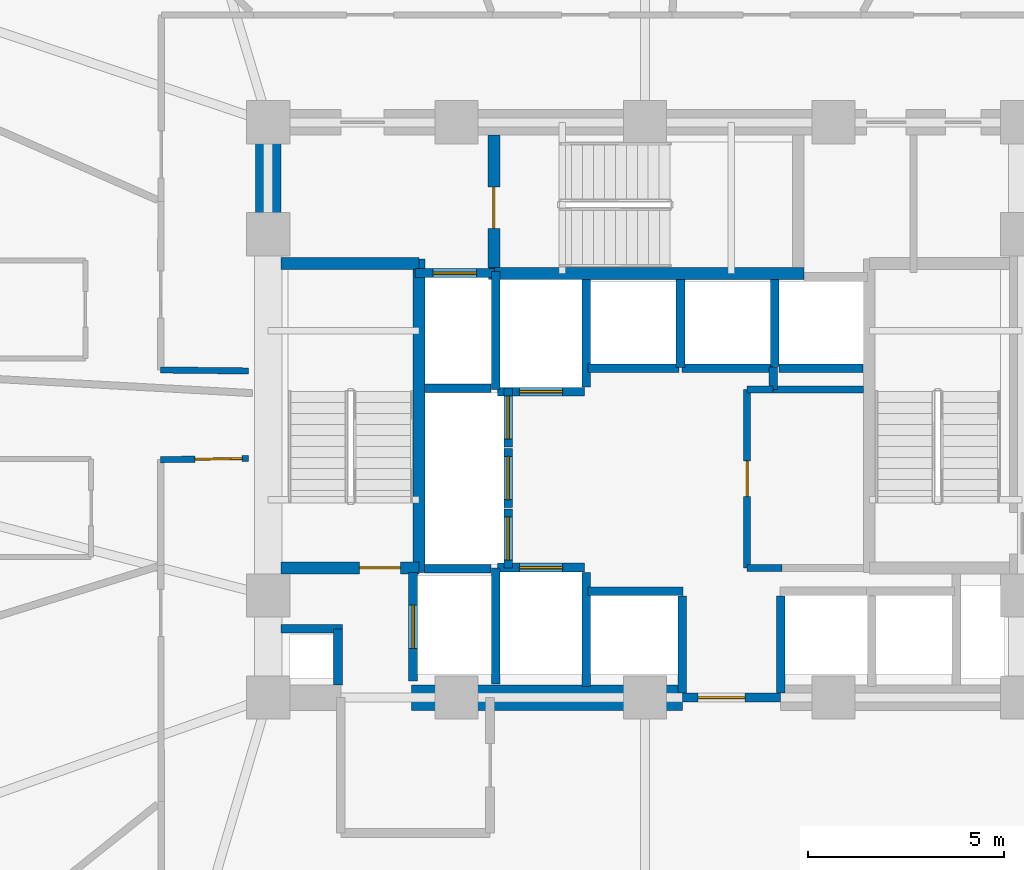
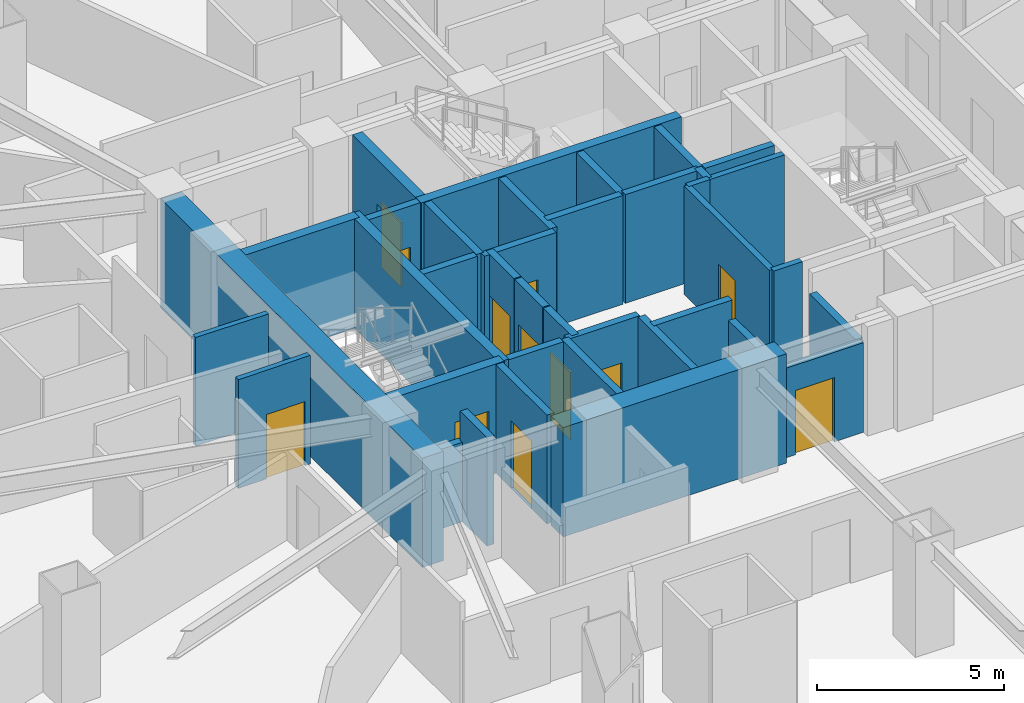
# One storey, part 22 of 29: 38 walls, 12 doors, 12 openings.
"""IFC4 building model written with IfcOpenShell, lengths in metres."""

from ifc_helpers import new_model, si_unit, direction, frame, frame_2d, origin, place, context, subcontext, project, spatial, rectangle, extrude, material, layer, layer_set, type_object, element, fill, save


model = new_model("IFC4")

# Units and contexts
model_context = context("Model", 3, precision=1e-05, world=origin(), true_north=direction((0.0, 1.0)))
body_context = subcontext(model_context, "Body", "Model", "MODEL_VIEW")
ifc_project = project(units=[si_unit("LENGTHUNIT", "METRE"), si_unit("AREAUNIT", "SQUARE_METRE"), si_unit("VOLUMEUNIT", "CUBIC_METRE"), si_unit("PLANEANGLEUNIT", "RADIAN"), si_unit("MASSUNIT", "GRAM", prefix="KILO")], contexts=[model_context])

# Site, building, storey
site_placement = place(None, origin())
site = spatial("IfcSite", under=ifc_project, at=site_placement, CompositionType="ELEMENT")
building_placement = place(site_placement, origin())
building = spatial("IfcBuilding", under=site, at=building_placement, Name="Vantalir Tower", CompositionType="ELEMENT")
storey_placement = place(building_placement, frame((0.0, 0.0, 60.75)))
storey = spatial("IfcBuildingStorey", under=building, at=storey_placement, Name="L14", CompositionType="ELEMENT", Elevation=60.75)

# Walls
ifc_material_1 = material(Name="Concrete C60/75", Category="concrete")
ifc_layer_1 = layer(ifc_material_1, 0.64990234375)
ifc_layer_set_1 = layer_set([ifc_layer_1], Name="Concrete C60/75")
wall_type_1 = type_object("IfcWallType", Name="WL-CORE-650", PredefinedType="SHEAR", material=ifc_layer_set_1)
wall_1_placement = place(storey_placement, frame((25.550048828125, 17.800048828125, 0.0), z_axis=(0.0, 0.0, 1.0), x_axis=(1.0, 0.0, 0.0)))
element("IfcWall", 1, at=wall_1_placement, inside=storey, type_object=wall_type_1, Name="L14 Core Shear Wall South-Mid", PredefinedType="SHEAR", context=body_context, shape_type="SweptSolid", body=[
    extrude(rectangle(XDim=6.89990234375, YDim=0.64990234375, at=frame_2d((3.449951171875, 0.0))), origin(), (0.0, 0.0, 1.0), 3.570068359375),
])
wall_2_placement = place(storey_placement, frame((21.89990234375, 18.125, 0.0), z_axis=(0.0, 0.0, 1.0), x_axis=(0.0, 1.0, 0.0)))
element("IfcWall", 2, at=wall_2_placement, inside=storey, type_object=wall_type_1, Name="L14 Core Shear Wall West", PredefinedType="SHEAR", context=body_context, shape_type="SweptSolid", body=[
    extrude(rectangle(XDim=14.0, YDim=0.64990234375, at=frame_2d((7.0, 0.0))), origin(), (0.0, 0.0, 1.0), 3.570068359375),
])
ifc_material_2 = material(Name="Fire-rated hotel corridor acoustic partition", Category="gypsum")
ifc_layer_2 = layer(ifc_material_2, 0.159912109375)
ifc_layer_set_2 = layer_set([ifc_layer_2], Name="Fire-rated hotel corridor acoustic partition")
wall_type_2 = type_object("IfcWallType", Name="WL-CORR-160", PredefinedType="PARTITIONING", material=ifc_layer_set_2)
wall_3_placement = place(storey_placement, frame((21.39501953125, 26.116943359375, 0.0), z_axis=(0.0, 0.0, 1.0), x_axis=(-0.999936661747, 0.011254887571, 0.0)))
element("IfcWall", 3, at=wall_3_placement, inside=storey, type_object=wall_type_2, Name="L14 Corridor Partition 01", PredefinedType="PARTITIONING", context=body_context, shape_type="SweptSolid", body=[
    extrude(rectangle(XDim=2.234375, YDim=0.159912109375, at=frame_2d((1.1171875, 0.0))), origin(), (0.0, 0.0, 1.0), 3.550048828125),
])

# Wall, opening, door
wall_4_placement = place(storey_placement, frame((19.160888671875, 23.85791015625, 0.0), z_axis=(0.0, 0.0, 1.0), x_axis=(0.999915458151, 0.013002943888, 0.0)))
wall_4 = element("IfcWall", 4, at=wall_4_placement, inside=storey, type_object=wall_type_2, Name="L14 Corridor Partition 20", PredefinedType="PARTITIONING", context=body_context, shape_type="SweptSolid", body=[
    extrude(rectangle(XDim=2.234375, YDim=0.159912109375, at=frame_2d((1.1171875, 0.0))), origin(), (0.0, 0.0, 1.0), 3.550048828125),
])
opening_1_placement = place(wall_4_placement, frame((0.8740234375, 0.0, 0.0)))
opening_1 = element("IfcOpeningElement", 5, at=opening_1_placement, cuts=wall_4, Name="Opening D-STE", PredefinedType="OPENING", context=body_context, shape_type="SweptSolid", body=[
    extrude(rectangle(XDim=1.199951171875, YDim=2.10009765625, at=frame_2d((0.60009765625, 1.050048828125))), frame((0.0, 0.08984375, 0.0), z_axis=(0.0, -1.0, 0.0), x_axis=(1.0, 0.0, 0.0)), (0.0, 0.0, 1.0), 0.179931640625),
])
ifc_material_3 = material(Name="Solid-core teak veneer suite entrance door", Category="wood")
door_type_1 = type_object("IfcDoorType", Name="DR-SUITE-ENTRY-1200", OperationType="NOTDEFINED", PredefinedType="DOOR", material=ifc_material_3)
door_1_placement = place(opening_1_placement, origin())
door_1 = element("IfcDoor", 6, at=door_1_placement, inside=storey, type_object=door_type_1, Name="L14 Corner Panorama Hotel Suite 08 Door", OperationType="SINGLE_SWING_LEFT", OverallHeight=2.10009765625, OverallWidth=1.199951171875, PredefinedType="DOOR", context=body_context, shape_type="SweptSolid", body=[
    extrude(rectangle(XDim=1.199951171875, YDim=2.10009765625, at=frame_2d((0.60009765625, 1.050048828125))), frame((0.0, 0.02490234375, 0.0), z_axis=(0.0, -1.0, 0.0), x_axis=(1.0, 0.0, 0.0)), (0.0, 0.0, 1.0), 0.050048828125),
])
fill(opening_1, door_1)

# Walls
ifc_material_4 = material(Name="Concrete blockwork with fireboard lining", Category="masonry")
ifc_layer_3 = layer(ifc_material_4, 0.219970703125)
ifc_layer_set_3 = layer_set([ifc_layer_3], Name="Concrete blockwork with fireboard lining")
wall_type_3 = type_object("IfcWallType", Name="WL-FFL-220", PredefinedType="PARTITIONING", material=ifc_layer_set_3)
wall_5_placement = place(storey_placement, frame((30.0, 18.080078125, 0.0), z_axis=(0.0, 0.0, 1.0), x_axis=(0.0, 1.0, 0.0)))
element("IfcWall", 7, at=wall_5_placement, inside=storey, type_object=wall_type_3, Name="L14 Service Lift SV1 East Shaft Wall", PredefinedType="PARTITIONING", context=body_context, shape_type="SweptSolid", body=[
    extrude(rectangle(XDim=2.89990234375, YDim=0.219970703125, at=frame_2d((1.449951171875, 0.0))), origin(), (0.0, 0.0, 1.0), 3.544921875),
])
for number, where, z_axis, x_axis, name in (
    (8, (32.449951171875, 17.919921875, 0.0), (0.0, 0.0, 1.0), (0.0, 1.0, 0.0), "L14 Shuttle Lift PL-X1 East Shaft Cheek"),
    (9, (34.949951171875, 17.919921875, 0.0), (0.0, 0.0, 1.0), (0.0, 1.0, 0.0), "L14 Shuttle Lift PL-X3 West Shaft Cheek"),
):
    element("IfcWall", number, at=place(storey_placement, frame(where, z_axis=z_axis, x_axis=x_axis)), inside=storey, type_object=wall_type_3, Name=name, PredefinedType="PARTITIONING", context=body_context, shape_type="SweptSolid", body=[
        extrude(rectangle(XDim=2.469970703125, YDim=0.219970703125, at=frame_2d((1.23486328125, 0.0))), origin(), (0.0, 0.0, 1.0), 2.927978515625),
    ])
wall_6_placement = place(storey_placement, frame((30.0, 25.7099609375, 0.0), z_axis=(0.0, 0.0, 1.0), x_axis=(0.0, 1.0, 0.0)))
element("IfcWall", 10, at=wall_6_placement, inside=storey, type_object=wall_type_3, Name="L14 Service Lift SV2 East Shaft Wall", PredefinedType="PARTITIONING", context=body_context, shape_type="SweptSolid", body=[
    extrude(rectangle(XDim=2.72998046875, YDim=0.219970703125, at=frame_2d((1.364990234375, 0.0))), origin(), (0.0, 0.0, 1.0), 3.544921875),
])
wall_7_placement = place(storey_placement, frame((32.39990234375, 26.199951171875, 0.0), z_axis=(0.0, 0.0, 1.0), x_axis=(0.0, 1.0, 0.0)))
element("IfcWall", 11, at=wall_7_placement, inside=storey, type_object=wall_type_3, Name="L14 High-Rise Lift PL-H1/H2 Shaft Divider", PredefinedType="PARTITIONING", context=body_context, shape_type="SweptSolid", body=[
    extrude(rectangle(XDim=2.239990234375, YDim=0.219970703125, at=frame_2d((1.1201171875, 0.0))), origin(), (0.0, 0.0, 1.0), 3.544921875),
])
wall_8_placement = place(storey_placement, frame((34.800048828125, 26.22998046875, 0.0), z_axis=(0.0, 0.0, 1.0), x_axis=(0.0, 1.0, 0.0)))
element("IfcWall", 12, at=wall_8_placement, inside=storey, type_object=wall_type_3, Name="L14 High-Rise Lift PL-H2/H3 Shaft Divider", PredefinedType="PARTITIONING", context=body_context, shape_type="SweptSolid", body=[
    extrude(rectangle(XDim=2.2099609375, YDim=0.219970703125, at=frame_2d((1.10498046875, 0.0))), origin(), (0.0, 0.0, 1.0), 3.544921875),
])
wall_9_placement = place(storey_placement, frame((34.909912109375, 26.18994140625, 0.0), z_axis=(0.0, 0.0, 1.0), x_axis=(1.0, 0.0, 0.0)))
element("IfcWall", 13, at=wall_9_placement, inside=storey, type_object=wall_type_3, Name="L14 High-Rise Lift PL-H3 Rear Shaft Wall", PredefinedType="PARTITIONING", context=body_context, shape_type="SweptSolid", body=[
    extrude(rectangle(XDim=2.14013671875, YDim=0.219970703125, at=frame_2d((1.070068359375, 0.0))), origin(), (0.0, 0.0, 1.0), 3.544921875),
])

# Wall, opening, door
wall_10_placement = place(storey_placement, frame((32.449951171875, 17.800048828125, 0.0), z_axis=(0.0, 0.0, 1.0), x_axis=(1.0, 0.0, 0.0)))
wall_10 = element("IfcWall", 14, at=wall_10_placement, inside=storey, type_object=wall_type_3, Name="L14 Passenger Lift Lobby South Wall", PredefinedType="PARTITIONING", context=body_context, shape_type="SweptSolid", body=[
    extrude(rectangle(XDim=2.5, YDim=0.219970703125, at=frame_2d((1.25, 0.0))), origin(), (0.0, 0.0, 1.0), 2.927978515625),
])
opening_2_placement = place(wall_10_placement, frame((0.39990234375, 0.0, 0.0)))
opening_2 = element("IfcOpeningElement", 15, at=opening_2_placement, cuts=wall_10, Name="Opening D-STE", PredefinedType="OPENING", context=body_context, shape_type="SweptSolid", body=[
    extrude(rectangle(XDim=1.199951171875, YDim=2.10009765625, at=frame_2d((0.60009765625, 1.050048828125))), frame((0.0, 0.119873046875, 0.0), z_axis=(0.0, -1.0, 0.0), x_axis=(1.0, 0.0, 0.0)), (0.0, 0.0, 1.0), 0.239990234375),
])
door_2_placement = place(opening_2_placement, origin())
door_2 = element("IfcDoor", 16, at=door_2_placement, inside=storey, type_object=door_type_1, Name="L14 Passenger Lift Lobby Concourse Door", OperationType="SINGLE_SWING_LEFT", OverallHeight=2.10009765625, OverallWidth=1.199951171875, PredefinedType="DOOR", context=body_context, shape_type="SweptSolid", body=[
    extrude(rectangle(XDim=1.199951171875, YDim=2.10009765625, at=frame_2d((0.60009765625, 1.050048828125))), frame((0.0, 0.02490234375, 0.0), z_axis=(0.0, -1.0, 0.0), x_axis=(1.0, 0.0, 0.0)), (0.0, 0.0, 1.0), 0.050048828125),
])
fill(opening_2, door_2)

# Walls
wall_11_placement = place(storey_placement, frame((23.679931640625, 18.125, 0.0), z_axis=(0.0, 0.0, 1.0), x_axis=(0.0, 1.0, 0.0)))
element("IfcWall", 17, at=wall_11_placement, inside=storey, type_object=wall_type_3, Name="L14 West MEP Riser Wall E", PredefinedType="PARTITIONING", context=body_context, shape_type="SweptSolid", body=[
    extrude(rectangle(XDim=1.425048828125, YDim=0.219970703125, at=frame_2d((0.71240234375, 0.0))), origin(), (0.0, 0.0, 1.0), 3.550048828125),
])
wall_12_placement = place(storey_placement, frame((22.22509765625, 19.550048828125, 0.0), z_axis=(0.0, 0.0, 1.0), x_axis=(1.0, 0.0, 0.0)))
element("IfcWall", 18, at=wall_12_placement, inside=storey, type_object=wall_type_3, Name="L14 West MEP Riser Wall N", PredefinedType="PARTITIONING", context=body_context, shape_type="SweptSolid", body=[
    extrude(rectangle(XDim=1.56494140625, YDim=0.219970703125, at=frame_2d((0.782470703125, 0.0))), origin(), (0.0, 0.0, 1.0), 2.594970703125),
])

# Wall, opening, door
wall_13_placement = place(storey_placement, frame((25.590087890625, 18.219970703125, 0.0), z_axis=(0.0, 0.0, 1.0), x_axis=(0.0, 1.0, 0.0)))
wall_13 = element("IfcWall", 19, at=wall_13_placement, inside=storey, type_object=wall_type_3, Name="L14 Lift FL1 Shaft Front Wall", PredefinedType="PARTITIONING", context=body_context, shape_type="SweptSolid", body=[
    extrude(rectangle(XDim=2.760009765625, YDim=0.219970703125, at=frame_2d((1.3798828125, 0.0))), origin(), (0.0, 0.0, 1.0), 3.550048828125),
])
opening_3_placement = place(wall_13_placement, frame((0.830078125, 0.0, 0.0)))
opening_3 = element("IfcOpeningElement", 20, at=opening_3_placement, cuts=wall_13, Name="Opening LD-FL1", PredefinedType="OPENING", context=body_context, shape_type="SweptSolid", body=[
    extrude(rectangle(XDim=1.10009765625, YDim=2.199951171875, at=frame_2d((0.550048828125, 1.10009765625))), frame((0.0, 0.119873046875, 0.0), z_axis=(0.0, -1.0, 0.0), x_axis=(1.0, 0.0, 0.0)), (0.0, 0.0, 1.0), 0.239990234375),
])
ifc_material_5 = material(Name="Brushed stainless-steel sliding lift landing door", Category="steel")
door_type_2 = type_object("IfcDoorType", Name="DR-LIFT-LANDING-1100", OperationType="DOUBLE_DOOR_SLIDING", PredefinedType="DOOR", material=ifc_material_5)
door_3_placement = place(opening_3_placement, origin())
door_3 = element("IfcDoor", 21, at=door_3_placement, inside=storey, type_object=door_type_2, Name="L14 Lift Landing Door FL1", OperationType="DOUBLE_DOOR_SLIDING", OverallHeight=2.199951171875, OverallWidth=1.10009765625, PredefinedType="DOOR", context=body_context, shape_type="SweptSolid", body=[
    extrude(rectangle(XDim=1.10009765625, YDim=2.199951171875, at=frame_2d((0.550048828125, 1.10009765625))), frame((0.0, 0.02490234375, 0.0), z_axis=(0.0, -1.0, 0.0), x_axis=(1.0, 0.0, 0.0)), (0.0, 0.0, 1.0), 0.050048828125),
])
fill(opening_3, door_3)

wall_14_placement = place(storey_placement, frame((25.639892578125, 28.610107421875, 0.0), z_axis=(0.0, 0.0, 1.0), x_axis=(1.0, 0.0, 0.0)))
wall_14 = element("IfcWall", 22, at=wall_14_placement, inside=storey, type_object=wall_type_3, Name="L14 Lift FL2 Shaft Front Wall", PredefinedType="PARTITIONING", context=body_context, shape_type="SweptSolid", body=[
    extrude(rectangle(XDim=2.02001953125, YDim=0.219970703125, at=frame_2d((1.010009765625, 0.0))), origin(), (0.0, 0.0, 1.0), 3.550048828125),
])
opening_4_placement = place(wall_14_placement, frame((0.4599609375, 0.0, 0.0)))
opening_4 = element("IfcOpeningElement", 23, at=opening_4_placement, cuts=wall_14, Name="Opening LD-FL2", PredefinedType="OPENING", context=body_context, shape_type="SweptSolid", body=[
    extrude(rectangle(XDim=1.10009765625, YDim=2.199951171875, at=frame_2d((0.550048828125, 1.10009765625))), frame((0.0, 0.119873046875, 0.0), z_axis=(0.0, -1.0, 0.0), x_axis=(1.0, 0.0, 0.0)), (0.0, 0.0, 1.0), 0.239990234375),
])
door_4_placement = place(opening_4_placement, origin())
door_4 = element("IfcDoor", 24, at=door_4_placement, inside=storey, type_object=door_type_2, Name="L14 Lift Landing Door FL2", OperationType="DOUBLE_DOOR_SLIDING", OverallHeight=2.199951171875, OverallWidth=1.10009765625, PredefinedType="DOOR", context=body_context, shape_type="SweptSolid", body=[
    extrude(rectangle(XDim=1.10009765625, YDim=2.199951171875, at=frame_2d((0.550048828125, 1.10009765625))), frame((0.0, 0.02490234375, 0.0), z_axis=(0.0, -1.0, 0.0), x_axis=(1.0, 0.0, 0.0)), (0.0, 0.0, 1.0), 0.050048828125),
])
fill(opening_4, door_4)

wall_15_placement = place(storey_placement, frame((27.739990234375, 21.110107421875, 0.0), z_axis=(0.0, 0.0, 1.0), x_axis=(1.0, 0.0, 0.0)))
wall_15 = element("IfcWall", 25, at=wall_15_placement, inside=storey, type_object=wall_type_3, Name="L14 Lift SV1 Shaft Front Wall", PredefinedType="PARTITIONING", context=body_context, shape_type="SweptSolid", body=[
    extrude(rectangle(XDim=2.219970703125, YDim=0.219970703125, at=frame_2d((1.10986328125, 0.0))), origin(), (0.0, 0.0, 1.0), 3.550048828125),
])
opening_5_placement = place(wall_15_placement, frame((0.56005859375, 0.0, 0.0)))
opening_5 = element("IfcOpeningElement", 26, at=opening_5_placement, cuts=wall_15, Name="Opening LD-SV1", PredefinedType="OPENING", context=body_context, shape_type="SweptSolid", body=[
    extrude(rectangle(XDim=1.10009765625, YDim=2.199951171875, at=frame_2d((0.550048828125, 1.10009765625))), frame((0.0, 0.119873046875, 0.0), z_axis=(0.0, -1.0, 0.0), x_axis=(1.0, 0.0, 0.0)), (0.0, 0.0, 1.0), 0.239990234375),
])
door_5_placement = place(opening_5_placement, origin())
door_5 = element("IfcDoor", 27, at=door_5_placement, inside=storey, type_object=door_type_2, Name="L14 Lift Landing Door SV1", OperationType="DOUBLE_DOOR_SLIDING", OverallHeight=2.199951171875, OverallWidth=1.10009765625, PredefinedType="DOOR", context=body_context, shape_type="SweptSolid", body=[
    extrude(rectangle(XDim=1.10009765625, YDim=2.199951171875, at=frame_2d((0.550048828125, 1.10009765625))), frame((0.0, 0.02490234375, 0.0), z_axis=(0.0, -1.0, 0.0), x_axis=(1.0, 0.0, 0.0)), (0.0, 0.0, 1.0), 0.050048828125),
])
fill(opening_5, door_5)

wall_16_placement = place(storey_placement, frame((27.739990234375, 25.590087890625, 0.0), z_axis=(0.0, 0.0, 1.0), x_axis=(1.0, 0.0, 0.0)))
wall_16 = element("IfcWall", 28, at=wall_16_placement, inside=storey, type_object=wall_type_3, Name="L14 Lift SV2 Shaft Front Wall", PredefinedType="PARTITIONING", context=body_context, shape_type="SweptSolid", body=[
    extrude(rectangle(XDim=2.219970703125, YDim=0.219970703125, at=frame_2d((1.10986328125, 0.0))), origin(), (0.0, 0.0, 1.0), 3.550048828125),
])
opening_6_placement = place(wall_16_placement, frame((0.56005859375, 0.0, 0.0)))
opening_6 = element("IfcOpeningElement", 29, at=opening_6_placement, cuts=wall_16, Name="Opening LD-SV2", PredefinedType="OPENING", context=body_context, shape_type="SweptSolid", body=[
    extrude(rectangle(XDim=1.10009765625, YDim=2.199951171875, at=frame_2d((0.550048828125, 1.10009765625))), frame((0.0, 0.119873046875, 0.0), z_axis=(0.0, -1.0, 0.0), x_axis=(1.0, 0.0, 0.0)), (0.0, 0.0, 1.0), 0.239990234375),
])
door_6_placement = place(opening_6_placement, frame((1.10009765625, 0.0, 0.0), z_axis=(0.0, 0.0, 1.0), x_axis=(-1.0, 0.0, 0.0)))
door_6 = element("IfcDoor", 30, at=door_6_placement, inside=storey, type_object=door_type_2, Name="L14 Lift Landing Door SV2", OperationType="DOUBLE_DOOR_SLIDING", OverallHeight=2.199951171875, OverallWidth=1.10009765625, PredefinedType="DOOR", context=body_context, shape_type="SweptSolid", body=[
    extrude(rectangle(XDim=1.10009765625, YDim=2.199951171875, at=frame_2d((0.550048828125, 1.10009765625))), frame((0.0, 0.02490234375, 0.0), z_axis=(0.0, -1.0, 0.0), x_axis=(1.0, 0.0, 0.0)), (0.0, 0.0, 1.0), 0.050048828125),
])
fill(opening_6, door_6)

# Walls
wall_17_placement = place(storey_placement, frame((30.0400390625, 20.510009765625, 0.0), z_axis=(0.0, 0.0, 1.0), x_axis=(1.0, 0.0, 0.0)))
element("IfcWall", 31, at=wall_17_placement, inside=storey, type_object=wall_type_3, Name="L14 Lift PL-X1 Shaft Front Wall", PredefinedType="PARTITIONING", context=body_context, shape_type="SweptSolid", body=[
    extrude(rectangle(XDim=2.419921875, YDim=0.219970703125, at=frame_2d((1.2099609375, 0.0))), origin(), (0.0, 0.0, 1.0), 3.550048828125),
])
for number, where, z_axis, x_axis, name in (
    (32, (30.0400390625, 26.18994140625, 0.0), (0.0, 0.0, 1.0), (1.0, 0.0, 0.0), "L14 Lift PL-H1 Shaft Front Wall"),
    (33, (32.43994140625, 26.18994140625, 0.0), (0.0, 0.0, 1.0), (1.0, 0.0, 0.0), "L14 Lift PL-H2 Shaft Front Wall"),
):
    element("IfcWall", number, at=place(storey_placement, frame(where, z_axis=z_axis, x_axis=x_axis)), inside=storey, type_object=wall_type_3, Name=name, PredefinedType="PARTITIONING", context=body_context, shape_type="SweptSolid", body=[
        extrude(rectangle(XDim=2.320068359375, YDim=0.219970703125, at=frame_2d((1.16015625, 0.0))), origin(), (0.0, 0.0, 1.0), 3.550048828125),
    ])

# Wall, opening, door
wall_18_placement = place(storey_placement, frame((28.010009765625, 21.10009765625, 0.0), z_axis=(0.0, 0.0, 1.0), x_axis=(0.0, 1.0, 0.0)))
wall_18 = element("IfcWall", 34, at=wall_18_placement, inside=storey, type_object=wall_type_3, Name="L14 Lift PL-L1 Shaft Front Wall", PredefinedType="PARTITIONING", context=body_context, shape_type="SweptSolid", body=[
    extrude(rectangle(XDim=1.5, YDim=0.219970703125, at=frame_2d((0.75, 0.0))), origin(), (0.0, 0.0, 1.0), 3.550048828125),
])
opening_7_placement = place(wall_18_placement, frame((0.199951171875, 0.0, 0.0)))
opening_7 = element("IfcOpeningElement", 35, at=opening_7_placement, cuts=wall_18, Name="Opening LD-PL-L1", PredefinedType="OPENING", context=body_context, shape_type="SweptSolid", body=[
    extrude(rectangle(XDim=1.10009765625, YDim=2.199951171875, at=frame_2d((0.550048828125, 1.10009765625))), frame((0.0, 0.119873046875, 0.0), z_axis=(0.0, -1.0, 0.0), x_axis=(1.0, 0.0, 0.0)), (0.0, 0.0, 1.0), 0.239990234375),
])
door_7_placement = place(opening_7_placement, frame((1.10009765625, 0.0, 0.0), z_axis=(0.0, 0.0, 1.0), x_axis=(-1.0, 0.0, 0.0)))
door_7 = element("IfcDoor", 36, at=door_7_placement, inside=storey, type_object=door_type_2, Name="L14 Lift Landing Door PL-L1", OperationType="DOUBLE_DOOR_SLIDING", OverallHeight=2.199951171875, OverallWidth=1.10009765625, PredefinedType="DOOR", context=body_context, shape_type="SweptSolid", body=[
    extrude(rectangle(XDim=1.10009765625, YDim=2.199951171875, at=frame_2d((0.550048828125, 1.10009765625))), frame((0.0, 0.02490234375, 0.0), z_axis=(0.0, -1.0, 0.0), x_axis=(1.0, 0.0, 0.0)), (0.0, 0.0, 1.0), 0.050048828125),
])
fill(opening_7, door_7)

wall_19_placement = place(storey_placement, frame((28.010009765625, 22.639892578125, 0.0), z_axis=(0.0, 0.0, 1.0), x_axis=(0.0, 1.0, 0.0)))
wall_19 = element("IfcWall", 37, at=wall_19_placement, inside=storey, type_object=wall_type_3, Name="L14 Lift PL-L2 Shaft Front Wall", PredefinedType="PARTITIONING", context=body_context, shape_type="SweptSolid", body=[
    extrude(rectangle(XDim=1.5, YDim=0.219970703125, at=frame_2d((0.75, 0.0))), origin(), (0.0, 0.0, 1.0), 3.550048828125),
])
opening_8_placement = place(wall_19_placement, frame((0.199951171875, 0.0, 0.0)))
opening_8 = element("IfcOpeningElement", 38, at=opening_8_placement, cuts=wall_19, Name="Opening LD-PL-L2", PredefinedType="OPENING", context=body_context, shape_type="SweptSolid", body=[
    extrude(rectangle(XDim=1.10009765625, YDim=2.199951171875, at=frame_2d((0.550048828125, 1.10009765625))), frame((0.0, 0.119873046875, 0.0), z_axis=(0.0, -1.0, 0.0), x_axis=(1.0, 0.0, 0.0)), (0.0, 0.0, 1.0), 0.239990234375),
])
door_8_placement = place(opening_8_placement, frame((1.10009765625, 0.0, 0.0), z_axis=(0.0, 0.0, 1.0), x_axis=(-1.0, 0.0, 0.0)))
door_8 = element("IfcDoor", 39, at=door_8_placement, inside=storey, type_object=door_type_2, Name="L14 Lift Landing Door PL-L2", OperationType="DOUBLE_DOOR_SLIDING", OverallHeight=2.199951171875, OverallWidth=1.10009765625, PredefinedType="DOOR", context=body_context, shape_type="SweptSolid", body=[
    extrude(rectangle(XDim=1.10009765625, YDim=2.199951171875, at=frame_2d((0.550048828125, 1.10009765625))), frame((0.0, 0.02490234375, 0.0), z_axis=(0.0, -1.0, 0.0), x_axis=(1.0, 0.0, 0.0)), (0.0, 0.0, 1.0), 0.050048828125),
])
fill(opening_8, door_8)

wall_20_placement = place(storey_placement, frame((28.010009765625, 24.179931640625, 0.0), z_axis=(0.0, 0.0, 1.0), x_axis=(0.0, 1.0, 0.0)))
wall_20 = element("IfcWall", 40, at=wall_20_placement, inside=storey, type_object=wall_type_3, Name="L14 Lift PL-L3 Shaft Front Wall", PredefinedType="PARTITIONING", context=body_context, shape_type="SweptSolid", body=[
    extrude(rectangle(XDim=1.5, YDim=0.219970703125, at=frame_2d((0.75, 0.0))), origin(), (0.0, 0.0, 1.0), 3.550048828125),
])
opening_9_placement = place(wall_20_placement, frame((0.199951171875, 0.0, 0.0)))
opening_9 = element("IfcOpeningElement", 41, at=opening_9_placement, cuts=wall_20, Name="Opening LD-PL-L3", PredefinedType="OPENING", context=body_context, shape_type="SweptSolid", body=[
    extrude(rectangle(XDim=1.10009765625, YDim=2.199951171875, at=frame_2d((0.550048828125, 1.10009765625))), frame((0.0, 0.119873046875, 0.0), z_axis=(0.0, -1.0, 0.0), x_axis=(1.0, 0.0, 0.0)), (0.0, 0.0, 1.0), 0.239990234375),
])
door_9_placement = place(opening_9_placement, frame((1.10009765625, 0.0, 0.0), z_axis=(0.0, 0.0, 1.0), x_axis=(-1.0, 0.0, 0.0)))
door_9 = element("IfcDoor", 42, at=door_9_placement, inside=storey, type_object=door_type_2, Name="L14 Lift Landing Door PL-L3", OperationType="DOUBLE_DOOR_SLIDING", OverallHeight=2.199951171875, OverallWidth=1.10009765625, PredefinedType="DOOR", context=body_context, shape_type="SweptSolid", body=[
    extrude(rectangle(XDim=1.10009765625, YDim=2.199951171875, at=frame_2d((0.550048828125, 1.10009765625))), frame((0.0, 0.02490234375, 0.0), z_axis=(0.0, -1.0, 0.0), x_axis=(1.0, 0.0, 0.0)), (0.0, 0.0, 1.0), 0.050048828125),
])
fill(opening_9, door_9)

# Walls
wall_21_placement = place(storey_placement, frame((27.699951171875, 18.14990234375, 0.0), z_axis=(0.0, 0.0, 1.0), x_axis=(0.0, 1.0, 0.0)))
element("IfcWall", 43, at=wall_21_placement, inside=storey, type_object=wall_type_3, Name="L14 Fire Lift FL1 Dividing Wall", PredefinedType="PARTITIONING", context=body_context, shape_type="SweptSolid", body=[
    extrude(rectangle(XDim=2.9501953125, YDim=0.219970703125, at=frame_2d((1.47509765625, 0.0))), origin(), (0.0, 0.0, 1.0), 3.550048828125),
])
wall_22_placement = place(storey_placement, frame((27.699951171875, 25.64990234375, 0.0), z_axis=(0.0, 0.0, 1.0), x_axis=(0.0, 1.0, 0.0)))
element("IfcWall", 44, at=wall_22_placement, inside=storey, type_object=wall_type_3, Name="L14 Fire Lift FL2 Dividing Wall", PredefinedType="PARTITIONING", context=body_context, shape_type="SweptSolid", body=[
    extrude(rectangle(XDim=3.0, YDim=0.219970703125, at=frame_2d((1.5, 0.0))), origin(), (0.0, 0.0, 1.0), 3.550048828125),
])
for number, where, z_axis, x_axis, name in (
    (45, (25.8798828125, 21.080078125, 0.0), (0.0, 0.0, 1.0), (1.0, 0.0, 0.0), "L14 Low-Rise Bank South Wall"),
    (46, (25.8798828125, 25.679931640625, 0.0), (0.0, 0.0, 1.0), (1.0, 0.0, 0.0), "L14 Low-Rise Bank North Wall"),
):
    element("IfcWall", number, at=place(storey_placement, frame(where, z_axis=z_axis, x_axis=x_axis)), inside=storey, type_object=wall_type_3, Name=name, PredefinedType="PARTITIONING", context=body_context, shape_type="SweptSolid", body=[
        extrude(rectangle(XDim=1.7001953125, YDim=0.219970703125, at=frame_2d((0.85009765625, 0.0))), origin(), (0.0, 0.0, 1.0), 3.550048828125),
    ])
wall_23_placement = place(storey_placement, frame((34.760009765625, 25.64990234375, 0.0), z_axis=(0.0, 0.0, 1.0), x_axis=(0.0, 1.0, 0.0)))
element("IfcWall", 47, at=wall_23_placement, inside=storey, type_object=wall_type_3, Name="L14 High-Rise Shaft Shoulder Wall", PredefinedType="PARTITIONING", context=body_context, shape_type="SweptSolid", body=[
    extrude(rectangle(XDim=0.570068359375, YDim=0.219970703125, at=frame_2d((0.28515625, 0.0))), origin(), (0.0, 0.0, 1.0), 3.550048828125),
])
ifc_material_6 = material(Name="Twin-stud acoustic fire-rated gypsum partition", Category="gypsum")
ifc_layer_4 = layer(ifc_material_6, 0.179931640625)
ifc_layer_set_4 = layer_set([ifc_layer_4], Name="Twin-stud acoustic fire-rated gypsum partition")
wall_type_4 = type_object("IfcWallType", Name="WL-GUEST-180", PredefinedType="PARTITIONING", material=ifc_layer_set_4)
wall_24_placement = place(storey_placement, frame((34.719970703125, 25.64990234375, 0.0), z_axis=(0.0, 0.0, 1.0), x_axis=(1.0, 0.0, 0.0)))
element("IfcWall", 48, at=wall_24_placement, inside=storey, type_object=wall_type_4, Name="L14 Freed East Core North Wall", PredefinedType="PARTITIONING", context=body_context, shape_type="SweptSolid", body=[
    extrude(rectangle(XDim=2.340087890625, YDim=0.179931640625, at=frame_2d((1.169921875, 0.0))), origin(), (0.0, 0.0, 1.0), 3.550048828125),
])
wall_25_placement = place(storey_placement, frame((34.10009765625, 21.10009765625, 0.0), z_axis=(0.0, 0.0, 1.0), x_axis=(1.0, 0.0, 0.0)))
element("IfcWall", 49, at=wall_25_placement, inside=storey, type_object=wall_type_4, Name="L14 East Core Room South Return", PredefinedType="PARTITIONING", context=body_context, shape_type="SweptSolid", body=[
    extrude(rectangle(XDim=0.8798828125, YDim=0.179931640625, at=frame_2d((0.43994140625, 0.0))), origin(), (0.0, 0.0, 1.0), 3.550048828125),
])
wall_26_placement = place(storey_placement, frame((34.10009765625, 25.64990234375, 0.0), z_axis=(0.0, 0.0, 1.0), x_axis=(1.0, 0.0, 0.0)))
element("IfcWall", 50, at=wall_26_placement, inside=storey, type_object=wall_type_4, Name="L14 East Core Room North Return", PredefinedType="PARTITIONING", context=body_context, shape_type="SweptSolid", body=[
    extrude(rectangle(XDim=0.659912109375, YDim=0.179931640625, at=frame_2d((0.330078125, 0.0))), origin(), (0.0, 0.0, 1.0), 3.550048828125),
])

# Wall, opening, door
wall_27_placement = place(storey_placement, frame((34.10009765625, 21.10009765625, 0.0), z_axis=(0.0, 0.0, 1.0), x_axis=(0.0, 1.0, 0.0)))
wall_27 = element("IfcWall", 51, at=wall_27_placement, inside=storey, type_object=wall_type_4, Name="L14 East Core Room West Wall", PredefinedType="PARTITIONING", context=body_context, shape_type="SweptSolid", body=[
    extrude(rectangle(XDim=4.5498046875, YDim=0.179931640625, at=frame_2d((2.27490234375, 0.0))), origin(), (0.0, 0.0, 1.0), 3.550048828125),
])
opening_10_placement = place(wall_27_placement, frame((1.824951171875, 0.0, 0.0)))
opening_10 = element("IfcOpeningElement", 52, at=opening_10_placement, cuts=wall_27, Name="Opening D-CR", PredefinedType="OPENING", context=body_context, shape_type="SweptSolid", body=[
    extrude(rectangle(XDim=0.89990234375, YDim=2.10009765625, at=frame_2d((0.449951171875, 1.050048828125))), frame((0.0, 0.099853515625, 0.0), z_axis=(0.0, -1.0, 0.0), x_axis=(1.0, 0.0, 0.0)), (0.0, 0.0, 1.0), 0.199951171875),
])
ifc_material_7 = material(Name="Fire-rated steel core service door", Category="steel")
door_type_3 = type_object("IfcDoorType", Name="DR-CORE-SERV-900", OperationType="NOTDEFINED", PredefinedType="DOOR", material=ifc_material_7)
door_10_placement = place(opening_10_placement, frame((0.89990234375, 0.0, 0.0), z_axis=(0.0, 0.0, 1.0), x_axis=(-1.0, 0.0, 0.0)))
door_10 = element("IfcDoor", 53, at=door_10_placement, inside=storey, type_object=door_type_3, Name="L14 Core Linen Store Door", OperationType="SINGLE_SWING_LEFT", OverallHeight=2.10009765625, OverallWidth=0.89990234375, PredefinedType="DOOR", context=body_context, shape_type="SweptSolid", body=[
    extrude(rectangle(XDim=0.89990234375, YDim=2.10009765625, at=frame_2d((0.449951171875, 1.050048828125))), frame((0.0, 0.02490234375, 0.0), z_axis=(0.0, -1.0, 0.0), x_axis=(1.0, 0.0, 0.0)), (0.0, 0.0, 1.0), 0.050048828125),
])
fill(opening_10, door_10)

ifc_material_8 = material(Name="Concrete C50/60", Category="concrete")
ifc_layer_5 = layer(ifc_material_8, 0.300048828125)
ifc_layer_set_5 = layer_set([ifc_layer_5], Name="Concrete C50/60")
wall_type_5 = type_object("IfcWallType", Name="WL-STAIR-300", PredefinedType="SHEAR", material=ifc_layer_set_5)
wall_28_placement = place(storey_placement, frame((22.22509765625, 21.10009765625, 0.0), z_axis=(0.0, 0.0, 1.0), x_axis=(1.0, 0.0, 0.0)))
wall_28 = element("IfcWall", 54, at=wall_28_placement, inside=storey, type_object=wall_type_5, Name="L14 Stair ST1 South Wall", PredefinedType="SHEAR", context=body_context, shape_type="SweptSolid", body=[
    extrude(rectangle(XDim=3.514892578125, YDim=0.300048828125, at=frame_2d((1.75732421875, 0.0))), origin(), (0.0, 0.0, 1.0), 3.570068359375),
])
opening_11_placement = place(wall_28_placement, frame((1.9951171875, 0.0, 0.0)))
opening_11 = element("IfcOpeningElement", 55, at=opening_11_placement, cuts=wall_28, Name="Opening D-ST", PredefinedType="OPENING", context=body_context, shape_type="SweptSolid", body=[
    extrude(rectangle(XDim=1.050048828125, YDim=2.10009765625, at=frame_2d((0.52490234375, 1.050048828125))), frame((0.0, 0.159912109375, 0.0), z_axis=(0.0, -1.0, 0.0), x_axis=(1.0, 0.0, 0.0)), (0.0, 0.0, 1.0), 0.320068359375),
])
ifc_material_9 = material(Name="Fire-rated steel door leaf", Category="steel")
door_type_4 = type_object("IfcDoorType", Name="DR-FIRE-STAIR-1050", OperationType="NOTDEFINED", PredefinedType="DOOR", material=ifc_material_9)
door_11_placement = place(opening_11_placement, origin())
door_11 = element("IfcDoor", 56, at=door_11_placement, inside=storey, type_object=door_type_4, Name="L14 Exit Stair ST1 Fire Door", OperationType="SINGLE_SWING_LEFT", OverallHeight=2.10009765625, OverallWidth=1.050048828125, PredefinedType="DOOR", context=body_context, shape_type="SweptSolid", body=[
    extrude(rectangle(XDim=1.050048828125, YDim=2.10009765625, at=frame_2d((0.52490234375, 1.050048828125))), frame((0.0, 0.02490234375, 0.0), z_axis=(0.0, -1.0, 0.0), x_axis=(1.0, 0.0, 0.0)), (0.0, 0.0, 1.0), 0.050048828125),
])
fill(opening_11, door_11)

# Walls
wall_29_placement = place(storey_placement, frame((22.22509765625, 28.85009765625, 0.0), z_axis=(0.0, 0.0, 1.0), x_axis=(1.0, 0.0, 0.0)))
element("IfcWall", 57, at=wall_29_placement, inside=storey, type_object=wall_type_5, Name="L14 Stair ST1 North Wall", PredefinedType="SHEAR", context=body_context, shape_type="SweptSolid", body=[
    extrude(rectangle(XDim=3.514892578125, YDim=0.300048828125, at=frame_2d((1.75732421875, 0.0))), origin(), (0.0, 0.0, 1.0), 3.570068359375),
])
wall_30_placement = place(storey_placement, frame((25.739990234375, 20.97998046875, 0.0), z_axis=(0.0, 0.0, 1.0), x_axis=(0.0, 1.0, 0.0)))
element("IfcWall", 58, at=wall_30_placement, inside=storey, type_object=wall_type_5, Name="L14 Stair ST1 East Wall", PredefinedType="SHEAR", context=body_context, shape_type="SweptSolid", body=[
    extrude(rectangle(XDim=7.989990234375, YDim=0.300048828125, at=frame_2d((3.9951171875, 0.0))), origin(), (0.0, 0.0, 1.0), 3.570068359375),
])
wall_31_placement = place(storey_placement, frame((27.510009765625, 28.60009765625, 0.0), z_axis=(0.0, 0.0, 1.0), x_axis=(1.0, 0.0, 0.0)))
element("IfcWall", 59, at=wall_31_placement, inside=storey, type_object=wall_type_5, Name="L14 Stair ST3 South Wall", PredefinedType="SHEAR", context=body_context, shape_type="SweptSolid", body=[
    extrude(rectangle(XDim=8.030029296875, YDim=0.300048828125, at=frame_2d((4.01513671875, 0.0))), origin(), (0.0, 0.0, 1.0), 3.570068359375),
])

# Wall, opening, door
wall_32_placement = place(storey_placement, frame((27.64990234375, 28.75, 0.0), z_axis=(0.0, 0.0, 1.0), x_axis=(0.0, 1.0, 0.0)))
wall_32 = element("IfcWall", 60, at=wall_32_placement, inside=storey, type_object=wall_type_5, Name="L14 Stair ST3 West Wall", PredefinedType="SHEAR", context=body_context, shape_type="SweptSolid", body=[
    extrude(rectangle(XDim=3.375, YDim=0.300048828125, at=frame_2d((1.6875, 0.0))), origin(), (0.0, 0.0, 1.0), 3.570068359375),
])
opening_12_placement = place(wall_32_placement, frame((1.0, 0.0, 0.0)))
opening_12 = element("IfcOpeningElement", 61, at=opening_12_placement, cuts=wall_32, Name="Opening D-ST", PredefinedType="OPENING", context=body_context, shape_type="SweptSolid", body=[
    extrude(rectangle(XDim=1.050048828125, YDim=2.10009765625, at=frame_2d((0.52490234375, 1.050048828125))), frame((0.0, 0.159912109375, 0.0), z_axis=(0.0, -1.0, 0.0), x_axis=(1.0, 0.0, 0.0)), (0.0, 0.0, 1.0), 0.320068359375),
])
door_12_placement = place(opening_12_placement, frame((1.050048828125, 0.0, 0.0), z_axis=(0.0, 0.0, 1.0), x_axis=(-1.0, 0.0, 0.0)))
door_12 = element("IfcDoor", 62, at=door_12_placement, inside=storey, type_object=door_type_4, Name="L14 Exit Stair ST3 Fire Door", OperationType="SINGLE_SWING_LEFT", OverallHeight=2.10009765625, OverallWidth=1.050048828125, PredefinedType="DOOR", context=body_context, shape_type="SweptSolid", body=[
    extrude(rectangle(XDim=1.050048828125, YDim=2.10009765625, at=frame_2d((0.52490234375, 1.050048828125))), frame((0.0, 0.02490234375, 0.0), z_axis=(0.0, -1.0, 0.0), x_axis=(1.0, 0.0, 0.0)), (0.0, 0.0, 1.0), 0.050048828125),
])
fill(opening_12, door_12)

save(model, "model.ifc")
